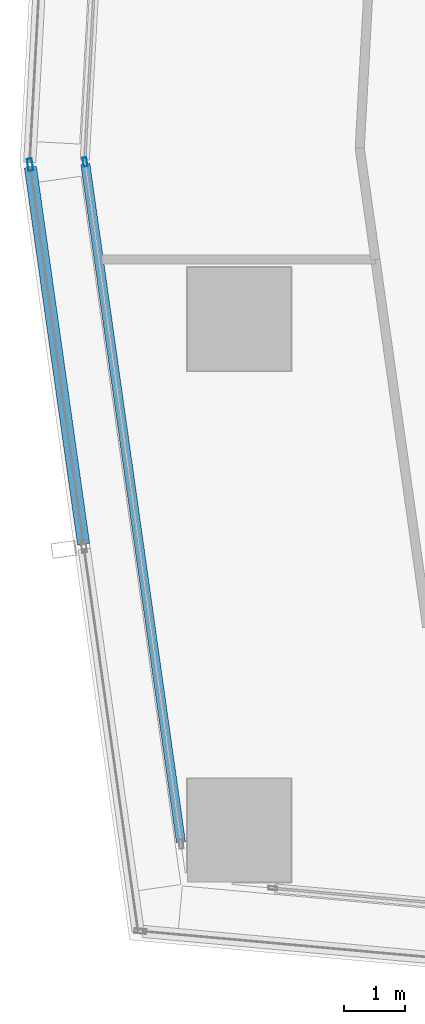
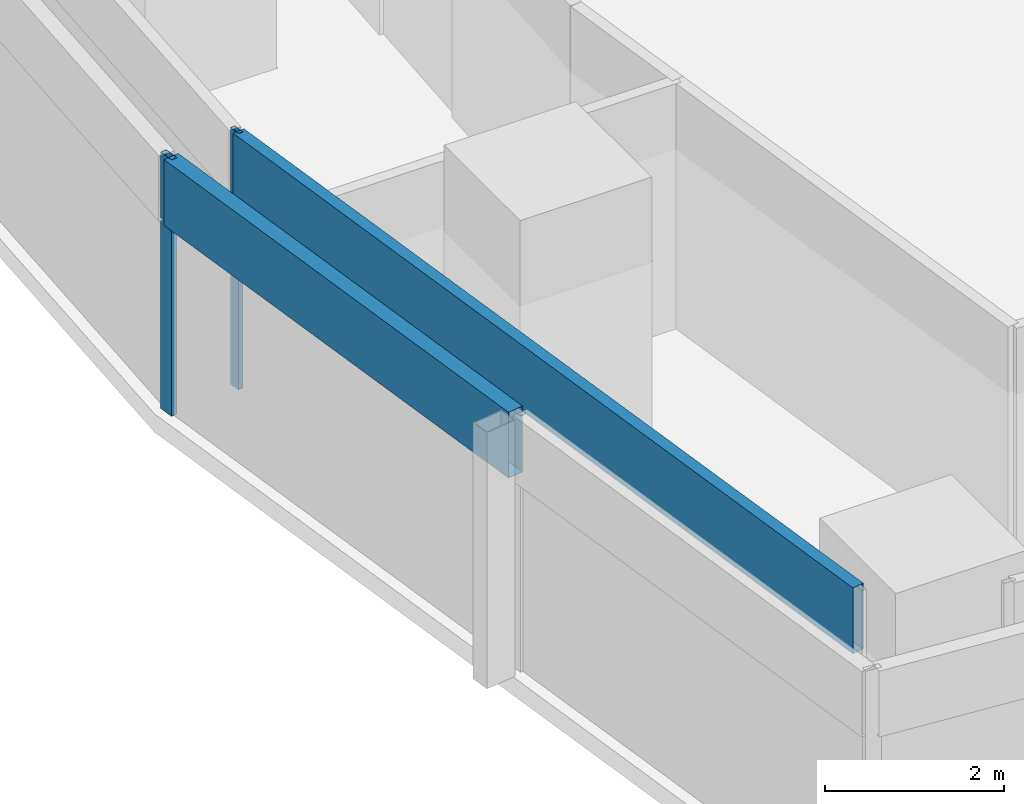
# One storey, part 4 of 40: 4 members, 2 elements without a shape of their own.
"""IFC4 building model written with IfcOpenShell, lengths in metres."""

from ifc_helpers import new_model, si_unit, direction, frame, origin, origin_2d, place, context, subcontext, project, spatial, hollow_rectangle, extrude, material, material_profile, profile_set, type_object, element, aggregate, save


model = new_model("IFC4")

# Units and contexts
model_context = context("Model", 3, precision=1e-05, world=origin(), true_north=direction((0.0, 1.0)))
body_context = subcontext(model_context, "Body", "Model", "MODEL_VIEW")
ifc_project = project(units=[si_unit("LENGTHUNIT", "METRE"), si_unit("AREAUNIT", "SQUARE_METRE"), si_unit("VOLUMEUNIT", "CUBIC_METRE"), si_unit("PLANEANGLEUNIT", "RADIAN"), si_unit("MASSUNIT", "GRAM", prefix="KILO")], contexts=[model_context])

# Site, building, storey
site_placement = place(None, origin())
site = spatial("IfcSite", under=ifc_project, at=site_placement, CompositionType="ELEMENT")
building_placement = place(site_placement, origin())
building = spatial("IfcBuilding", under=site, at=building_placement, Name="Rekha Terrace Tower", CompositionType="ELEMENT")
storey_placement = place(building_placement, frame((0.0, 0.0, 102.800048828125)))
storey = spatial("IfcBuildingStorey", under=building, at=storey_placement, Name="L25", CompositionType="ELEMENT", Elevation=102.800048828125)

# Curtain wall, members
ifc_material_1 = material(Name="Aluminium framing", Category="aluminium")
curtain_wall_type_1 = type_object("IfcCurtainWallType", Name="CW1 double skin inner glazing", PredefinedType="USERDEFINED", material=ifc_material_1)
curtain_wall_1_placement = place(storey_placement, origin())
curtain_wall_1 = element("IfcCurtainWall", 1, at=curtain_wall_1_placement, inside=storey, type_object=curtain_wall_type_1, Name="CW1 double skin inner glazing", ObjectType="DOUBLE SKIN INNER GLAZING", PredefinedType="USERDEFINED")
ifc_material_2 = material(Name="Aluminium mullion section", Category="aluminium")
ifc_material_profile_1 = material_profile(ifc_material_2, hollow_rectangle(XDim=0.06494140625, YDim=0.14990234375, WallThickness=0.00390625, at=origin_2d()), Name="AL RHS 65x150")
ifc_profile_set_1 = profile_set([ifc_material_profile_1], Name="Aluminium mullion section")
member_type_1 = type_object("IfcMemberType", Name="CW1 mullion RHS 65 x 150", PredefinedType="MULLION", material=ifc_profile_set_1)
member_1_placement = place(storey_placement, frame((5.86865234375, 27.78125, 0.0), z_axis=(0.0, 0.0, 1.0), x_axis=(0.990208394312, 0.139597048082, 0.0)))
member_1 = element("IfcMember", 2, at=member_1_placement, type_object=member_type_1, Name="CW1 mullion 1", PredefinedType="MULLION", context=body_context, shape_type="SweptSolid", body=[
    extrude(hollow_rectangle(XDim=0.06494140625, YDim=0.14990234375, WallThickness=0.00390625, at=origin_2d()), origin(), (0.0, 0.0, 1.0), 3.5),
])
ifc_material_3 = material(Name="Insulated aluminium spandrel box", Category="aluminium")
ifc_material_profile_2 = material_profile(ifc_material_3, hollow_rectangle(XDim=0.14990234375, YDim=0.89990234375, WallThickness=0.0029296875, at=origin_2d()), Name="AL SPANDREL BOX 150x900")
ifc_profile_set_2 = profile_set([ifc_material_profile_2], Name="Insulated aluminium spandrel box")
member_type_2 = type_object("IfcMemberType", Name="CW1 spandrel transom 150 x 900", PredefinedType="USERDEFINED", material=ifc_profile_set_2)
member_2_placement = place(storey_placement, frame((5.873046875, 27.7490234375, 3.050048828125), z_axis=(0.139607844155, -0.99020687225, 0.0), x_axis=(0.99020687225, 0.139607844155, 0.0)))
member_2 = element("IfcMember", 3, at=member_2_placement, type_object=member_type_2, Name="CW1 spandrel transom 1", ObjectType="TRANSOM", PredefinedType="USERDEFINED", context=body_context, shape_type="SweptSolid", body=[
    extrude(hollow_rectangle(XDim=0.14990234375, YDim=0.89990234375, WallThickness=0.0029296875, at=origin_2d()), origin(), (0.0, 0.0, 1.0), 11.253173828125),
])
aggregate(curtain_wall_1, [member_1, member_2])

curtain_wall_type_2 = type_object("IfcCurtainWallType", Name="CW2 double skin outer glazing", PredefinedType="USERDEFINED", material=ifc_material_1)
curtain_wall_2_placement = place(storey_placement, origin())
curtain_wall_2 = element("IfcCurtainWall", 4, at=curtain_wall_2_placement, inside=storey, type_object=curtain_wall_type_2, Name="CW2 double skin outer glazing", ObjectType="DOUBLE SKIN OUTER GLAZING", PredefinedType="USERDEFINED")
ifc_material_profile_3 = material_profile(ifc_material_2, hollow_rectangle(XDim=0.080078125, YDim=0.199951171875, WallThickness=0.00390625, at=origin_2d()), Name="AL RHS 80x200")
ifc_profile_set_3 = profile_set([ifc_material_profile_3], Name="Aluminium mullion section")
member_type_3 = type_object("IfcMemberType", Name="CW2 mullion RHS 80 x 200", PredefinedType="MULLION", material=ifc_profile_set_3)
member_3_placement = place(storey_placement, frame((4.96630859375, 27.7353515625, 0.0), z_axis=(0.0, 0.0, 1.0), x_axis=(0.990208394312, 0.139597048082, 0.0)))
member_3 = element("IfcMember", 5, at=member_3_placement, type_object=member_type_3, Name="CW2 mullion 1", PredefinedType="MULLION", context=body_context, shape_type="SweptSolid", body=[
    extrude(hollow_rectangle(XDim=0.080078125, YDim=0.199951171875, WallThickness=0.00390625, at=origin_2d()), origin(), (0.0, 0.0, 1.0), 3.5),
])
ifc_material_profile_4 = material_profile(ifc_material_3, hollow_rectangle(XDim=0.199951171875, YDim=0.89990234375, WallThickness=0.0029296875, at=origin_2d()), Name="AL SPANDREL BOX 200x900")
ifc_profile_set_4 = profile_set([ifc_material_profile_4], Name="Insulated aluminium spandrel box")
member_type_4 = type_object("IfcMemberType", Name="CW2 spandrel transom 200 x 900", PredefinedType="USERDEFINED", material=ifc_profile_set_4)
member_4_placement = place(storey_placement, frame((4.9716796875, 27.695556640625, 3.050048828125), z_axis=(0.139596256865, -0.990208505856, 0.0), x_axis=(0.990208505856, 0.139596256865, 0.0)))
member_4 = element("IfcMember", 6, at=member_4_placement, type_object=member_type_4, Name="CW2 spandrel transom 1", ObjectType="TRANSOM", PredefinedType="USERDEFINED", context=body_context, shape_type="SweptSolid", body=[
    extrude(hollow_rectangle(XDim=0.199951171875, YDim=0.89990234375, WallThickness=0.0029296875, at=origin_2d()), origin(), (0.0, 0.0, 1.0), 6.255859375),
])
aggregate(curtain_wall_2, [member_3, member_4])

save(model, "model.ifc")
